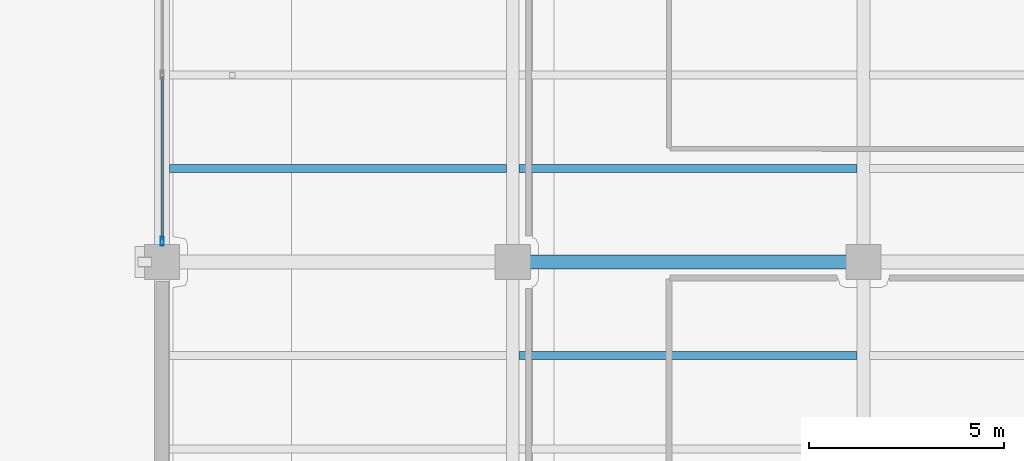
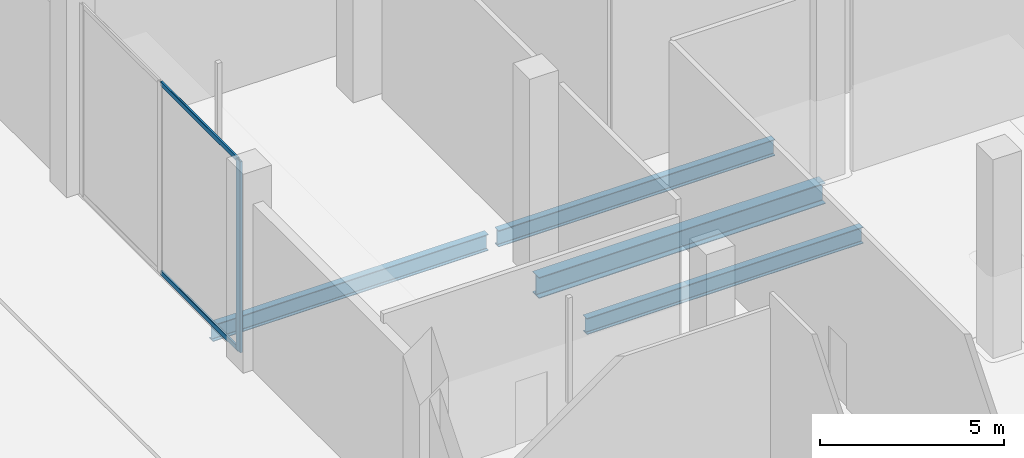
# One storey, part 9 of 45: 4 beams, 3 members, 1 element without a shape of its own.
"""IFC4 building model written with IfcOpenShell, lengths in metres."""

from ifc_helpers import new_model, si_unit, direction, frame, origin, origin_2d, place, context, subcontext, project, spatial, hollow_rectangle, i_section, extrude, material, layer, layer_set, material_profile, profile_set, type_object, element, aggregate, save


model = new_model("IFC4")

# Units and contexts
model_context = context("Model", 3, precision=1e-05, world=origin(), true_north=direction((0.0, 1.0)))
body_context = subcontext(model_context, "Body", "Model", "MODEL_VIEW")
ifc_project = project(units=[si_unit("LENGTHUNIT", "METRE"), si_unit("AREAUNIT", "SQUARE_METRE"), si_unit("VOLUMEUNIT", "CUBIC_METRE"), si_unit("PLANEANGLEUNIT", "RADIAN"), si_unit("MASSUNIT", "GRAM", prefix="KILO")], contexts=[model_context])

# Site, building, storey
site_placement = place(None, origin())
site = spatial("IfcSite", under=ifc_project, at=site_placement, CompositionType="ELEMENT")
building_placement = place(site_placement, origin())
building = spatial("IfcBuilding", under=site, at=building_placement, Name="Qorvath Tower", CompositionType="ELEMENT")
storey_placement = place(building_placement, origin())
storey = spatial("IfcBuildingStorey", under=building, at=storey_placement, Name="L00", CompositionType="ELEMENT", Elevation=0.0)

# Beams
ifc_material_1 = material(Name="Steel ASTM A992 Grade 50", Category="steel")
ifc_material_profile_1 = material_profile(ifc_material_1, i_section(OverallWidth=0.35595703125, OverallDepth=0.696044921875, WebThickness=0.015380859375, FlangeThickness=0.02490234375, FilletRadius=0.01806640625, at=origin_2d()), Name="W27x146")
ifc_profile_set_1 = profile_set([ifc_material_profile_1], Name="Steel ASTM A992 Grade 50")
beam_type_1 = type_object("IfcBeamType", Name="BM-FG4", PredefinedType="BEAM", material=ifc_profile_set_1)
beam_1_placement = place(storey_placement, frame((41.39990234375, 9.60009765625, -0.64794921875), z_axis=(1.0, 0.0, 0.0), x_axis=(0.0, 1.0, 0.0)))
element("IfcBeam", 1, at=beam_1_placement, inside=storey, type_object=beam_type_1, Name="Library E-W Girder L00-6-2", PredefinedType="BEAM", context=body_context, shape_type="SweptSolid", body=[
    extrude(i_section(OverallWidth=0.35595703125, OverallDepth=0.696044921875, WebThickness=0.015380859375, FlangeThickness=0.02490234375, FilletRadius=0.01806640625, at=origin_2d()), origin(), (0.0, 0.0, 1.0), 9.0),
])
ifc_material_2 = material(Name="Steel ASTM A992 Grade 50", Category="steel")
ifc_material_profile_2 = material_profile(ifc_material_2, i_section(OverallWidth=0.2119140625, OverallDepth=0.5439453125, WebThickness=0.01318359375, FlangeThickness=0.021240234375, FilletRadius=0.013916015625, at=origin_2d()), Name="W21x83")
ifc_profile_set_2 = profile_set([ifc_material_profile_2], Name="Steel ASTM A992 Grade 50")
beam_type_2 = type_object("IfcBeamType", Name="BM-FJ1", PredefinedType="JOIST", material=ifc_profile_set_2)
beam_2_placement = place(storey_placement, frame((41.560546875, 7.199951171875, -0.572021484375), z_axis=(1.0, 0.0, 0.0), x_axis=(0.0, 1.0, 0.0)))
element("IfcBeam", 2, at=beam_2_placement, inside=storey, type_object=beam_type_2, Name="Library Stack Joist L00-5.3-2", PredefinedType="JOIST", context=body_context, shape_type="SweptSolid", body=[
    extrude(i_section(OverallWidth=0.2119140625, OverallDepth=0.5439453125, WebThickness=0.01318359375, FlangeThickness=0.021240234375, FilletRadius=0.013916015625, at=origin_2d()), origin(), (0.0, 0.0, 1.0), 8.678955078125),
])
beam_3_placement = place(storey_placement, frame((32.58837890625, 12.0, -0.572021484375), z_axis=(1.0, 0.0, 0.0), x_axis=(0.0, 1.0, 0.0)))
element("IfcBeam", 3, at=beam_3_placement, inside=storey, type_object=beam_type_2, Name="Library Stack Joist L00-6.1-1", PredefinedType="JOIST", context=body_context, shape_type="SweptSolid", body=[
    extrude(i_section(OverallWidth=0.2119140625, OverallDepth=0.5439453125, WebThickness=0.01318359375, FlangeThickness=0.021240234375, FilletRadius=0.013916015625, at=origin_2d()), origin(), (0.0, 0.0, 1.0), 8.651123046875),
])
beam_4_placement = place(storey_placement, frame((41.560546875, 12.0, -0.572021484375), z_axis=(1.0, 0.0, 0.0), x_axis=(0.0, 1.0, 0.0)))
element("IfcBeam", 4, at=beam_4_placement, inside=storey, type_object=beam_type_2, Name="Library Stack Joist L00-6.1-2", PredefinedType="JOIST", context=body_context, shape_type="SweptSolid", body=[
    extrude(i_section(OverallWidth=0.2119140625, OverallDepth=0.5439453125, WebThickness=0.01318359375, FlangeThickness=0.021240234375, FilletRadius=0.013916015625, at=origin_2d()), origin(), (0.0, 0.0, 1.0), 8.678955078125),
])

# Curtain wall, members
ifc_material_3 = material(Name="Anodised aluminium and triple low-E glass", Category="aluminium")
ifc_layer = layer(ifc_material_3, 0.179931640625)
ifc_layer_set = layer_set([ifc_layer], Name="CW-SYS-6")
curtain_wall_type = type_object("IfcCurtainWallType", Name="CW-SYS-6", PredefinedType="NOTDEFINED", material=ifc_layer_set)
curtain_wall_placement = place(storey_placement, origin())
curtain_wall = element("IfcCurtainWall", 5, at=curtain_wall_placement, inside=storey, type_object=curtain_wall_type, Name="Curtain Wall CW-6 CW-LIB-W-L00-6", PredefinedType="NOTDEFINED")
ifc_material_4 = material(Name="Anodised aluminium 6063-T6", Category="aluminium")
ifc_material_profile_3 = material_profile(ifc_material_4, hollow_rectangle(XDim=0.080078125, YDim=0.219970703125, WallThickness=0.00439453125, InnerFilletRadius=0.00439453125, OuterFilletRadius=0.009033203125, at=origin_2d()), Name="CWM LIB 220x80")
ifc_profile_set_3 = profile_set([ifc_material_profile_3], Name="Anodised aluminium 6063-T6")
member_type_1 = type_object("IfcMemberType", Name="CWM-LIB", PredefinedType="MULLION", material=ifc_profile_set_3)
member_1_placement = place(storey_placement, frame((32.39990234375, 10.135009765625, 0.0), z_axis=(0.0, 0.0, 1.0), x_axis=(-1.0, 0.0, 0.0)))
member_1 = element("IfcMember", 6, at=member_1_placement, type_object=member_type_1, Name="CW-6 mullion 1", PredefinedType="MULLION", context=body_context, shape_type="SweptSolid", body=[
    extrude(hollow_rectangle(XDim=0.080078125, YDim=0.219970703125, WallThickness=0.00439453125, InnerFilletRadius=0.00439453125, OuterFilletRadius=0.009033203125, at=origin_2d()), origin(), (0.0, 0.0, 1.0), 6.340087890625),
])
ifc_material_5 = material(Name="Anodised aluminium 6063-T6", Category="aluminium")
ifc_material_profile_4 = material_profile(ifc_material_5, hollow_rectangle(XDim=0.06494140625, YDim=0.159912109375, WallThickness=0.00341796875, InnerFilletRadius=0.00341796875, OuterFilletRadius=0.007080078125, at=origin_2d()), Name="CWT 160x65")
ifc_profile_set_4 = profile_set([ifc_material_profile_4], Name="Anodised aluminium 6063-T6")
member_type_2 = type_object("IfcMemberType", Name="CWT-160", PredefinedType="USERDEFINED", material=ifc_profile_set_4)
member_2_placement = place(storey_placement, frame((32.39990234375, 10.175048828125, 0.032470703125), z_axis=(0.0, 1.0, 0.0), x_axis=(-1.0, 0.0, 0.0)))
member_2 = element("IfcMember", 7, at=member_2_placement, type_object=member_type_2, Name="CW-6 transom 1.1", ObjectType="TRANSOM", PredefinedType="USERDEFINED", context=body_context, shape_type="SweptSolid", body=[
    extrude(hollow_rectangle(XDim=0.06494140625, YDim=0.159912109375, WallThickness=0.00341796875, InnerFilletRadius=0.00341796875, OuterFilletRadius=0.007080078125, at=origin_2d()), origin(), (0.0, 0.0, 1.0), 4.18505859375),
])
member_3_placement = place(storey_placement, frame((32.39990234375, 10.175048828125, 6.3076171875), z_axis=(0.0, 1.0, 0.0), x_axis=(-1.0, 0.0, 0.0)))
member_3 = element("IfcMember", 8, at=member_3_placement, type_object=member_type_2, Name="CW-6 transom 1.2", ObjectType="TRANSOM", PredefinedType="USERDEFINED", context=body_context, shape_type="SweptSolid", body=[
    extrude(hollow_rectangle(XDim=0.06494140625, YDim=0.159912109375, WallThickness=0.00341796875, InnerFilletRadius=0.00341796875, OuterFilletRadius=0.007080078125, at=origin_2d()), origin(), (0.0, 0.0, 1.0), 4.18505859375),
])
aggregate(curtain_wall, [member_1, member_2, member_3])

save(model, "model.ifc")
